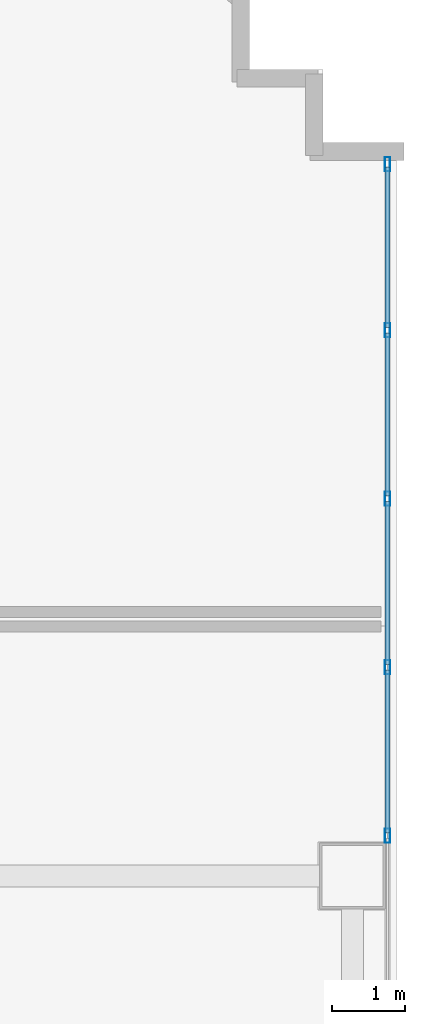
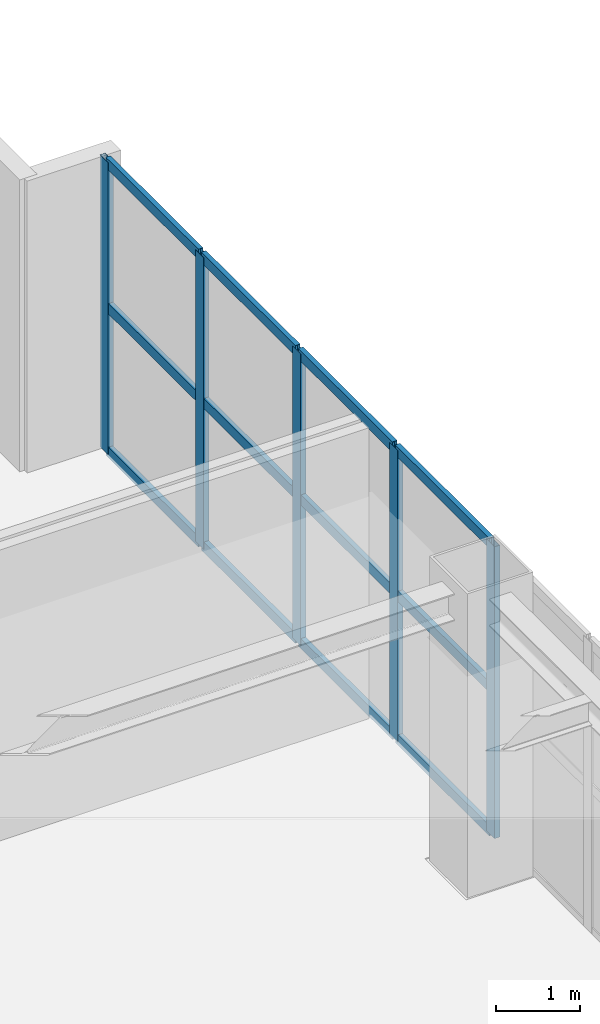
# One storey, part 7 of 16: 17 members, 1 element without a shape of its own.
"""IFC4 building model written with IfcOpenShell, lengths in metres."""

from ifc_helpers import new_model, si_unit, direction, frame, origin, origin_2d, place, context, subcontext, project, spatial, hollow_rectangle, extrude, material, layer, layer_set, material_profile, profile_set, type_object, element, aggregate, save


model = new_model("IFC4")

# Units and contexts
model_context = context("Model", 3, precision=1e-05, world=origin(), true_north=direction((0.0, 1.0)))
body_context = subcontext(model_context, "Body", "Model", "MODEL_VIEW")
ifc_project = project(units=[si_unit("LENGTHUNIT", "METRE"), si_unit("AREAUNIT", "SQUARE_METRE"), si_unit("VOLUMEUNIT", "CUBIC_METRE"), si_unit("PLANEANGLEUNIT", "RADIAN"), si_unit("MASSUNIT", "GRAM", prefix="KILO")], contexts=[model_context])

# Site, building, storey
site_placement = place(None, origin())
site = spatial("IfcSite", under=ifc_project, at=site_placement, CompositionType="ELEMENT")
building_placement = place(site_placement, origin())
building = spatial("IfcBuilding", under=site, at=building_placement, Name="Haolan Belvedere Tower", CompositionType="ELEMENT")
storey_placement = place(building_placement, frame((0.0, 0.0, 164.60009765625)))
storey = spatial("IfcBuildingStorey", under=building, at=storey_placement, Name="L41", CompositionType="ELEMENT", Elevation=164.60009765625)

# Curtain wall, members
ifc_material_1 = material(Name="Anodised champagne-silver aluminium 6063-T6 and Low-E glass", Category="aluminium")
ifc_layer = layer(ifc_material_1, 0.195068359375, Name="Anodised champagne-silver aluminium 6063-T6 and Low-E glass")
ifc_layer_set = layer_set([ifc_layer], Name="Anodised champagne-silver aluminium 6063-T6 and Low-E glass")
curtain_wall_type = type_object("IfcCurtainWallType", Name="CW-SYS-06", PredefinedType="NOTDEFINED", material=ifc_layer_set)
curtain_wall_placement = place(storey_placement, origin())
curtain_wall = element("IfcCurtainWall", 1, at=curtain_wall_placement, inside=storey, type_object=curtain_wall_type, Name="L41 CW-SYS-06 ribbon curtain wall 8.1", PredefinedType="NOTDEFINED")
ifc_material_2 = material(Name="Anodised aluminium 6063-T6", Category="aluminium")
ifc_material_profile_1 = material_profile(ifc_material_2, hollow_rectangle(XDim=0.070068359375, YDim=0.195068359375, WallThickness=0.00390625, at=origin_2d()), Name="Anodised aluminium 6063-T6")
ifc_profile_set_1 = profile_set([ifc_material_profile_1], Name="Anodised aluminium 6063-T6")
member_type_1 = type_object("IfcMemberType", Name="CW-SYS-06-MUL", PredefinedType="MULLION", material=ifc_profile_set_1)
member_1_placement = place(storey_placement, frame((64.679931640625, 28.14892578125, 0.0), z_axis=(0.0, 0.0, 1.0), x_axis=(-1.0, 0.0, 0.0)))
member_1 = element("IfcMember", 2, at=member_1_placement, type_object=member_type_1, Name="CW-06 mullion 6", PredefinedType="MULLION", context=body_context, shape_type="SweptSolid", body=[
    extrude(hollow_rectangle(XDim=0.070068359375, YDim=0.195068359375, WallThickness=0.00390625, at=origin_2d()), origin(), (0.0, 0.0, 1.0), 4.219970703125),
])
member_2_placement = place(storey_placement, frame((64.679931640625, 30.44677734375, 0.0), z_axis=(0.0, 0.0, 1.0), x_axis=(-1.0, 0.0, 0.0)))
member_2 = element("IfcMember", 3, at=member_2_placement, type_object=member_type_1, Name="CW-06 mullion 7", PredefinedType="MULLION", context=body_context, shape_type="SweptSolid", body=[
    extrude(hollow_rectangle(XDim=0.070068359375, YDim=0.195068359375, WallThickness=0.00390625, at=origin_2d()), origin(), (0.0, 0.0, 1.0), 4.219970703125),
])
member_3_placement = place(storey_placement, frame((64.679931640625, 32.744384765625, 0.0), z_axis=(0.0, 0.0, 1.0), x_axis=(-1.0, 0.0, 0.0)))
member_3 = element("IfcMember", 4, at=member_3_placement, type_object=member_type_1, Name="CW-06 mullion 8", PredefinedType="MULLION", context=body_context, shape_type="SweptSolid", body=[
    extrude(hollow_rectangle(XDim=0.070068359375, YDim=0.195068359375, WallThickness=0.00390625, at=origin_2d()), origin(), (0.0, 0.0, 1.0), 4.219970703125),
])
member_4_placement = place(storey_placement, frame((64.679931640625, 35.042236328125, 0.0), z_axis=(0.0, 0.0, 1.0), x_axis=(-1.0, 0.0, 0.0)))
member_4 = element("IfcMember", 5, at=member_4_placement, type_object=member_type_1, Name="CW-06 mullion 9", PredefinedType="MULLION", context=body_context, shape_type="SweptSolid", body=[
    extrude(hollow_rectangle(XDim=0.070068359375, YDim=0.195068359375, WallThickness=0.00390625, at=origin_2d()), origin(), (0.0, 0.0, 1.0), 4.219970703125),
])
member_5_placement = place(storey_placement, frame((64.679931640625, 37.304931640625, 0.0), z_axis=(0.0, 0.0, 1.0), x_axis=(-1.0, 0.0, 0.0)))
member_5 = element("IfcMember", 6, at=member_5_placement, type_object=member_type_1, Name="CW-06 mullion 10", PredefinedType="MULLION", context=body_context, shape_type="SweptSolid", body=[
    extrude(hollow_rectangle(XDim=0.070068359375, YDim=0.195068359375, WallThickness=0.00390625, at=origin_2d()), origin(), (0.0, 0.0, 1.0), 4.219970703125),
])
ifc_material_profile_2 = material_profile(ifc_material_2, hollow_rectangle(XDim=0.06494140625, YDim=0.14990234375, WallThickness=0.00390625, at=origin_2d()), Name="Anodised aluminium 6063-T6")
ifc_profile_set_2 = profile_set([ifc_material_profile_2], Name="Anodised aluminium 6063-T6")
member_type_2 = type_object("IfcMemberType", Name="CW-SYS-06-TRN", PredefinedType="USERDEFINED", material=ifc_profile_set_2)
member_6_placement = place(storey_placement, frame((64.679931640625, 28.183837890625, 0.032470703125), z_axis=(0.0, 1.0, 0.0), x_axis=(-1.0, 0.0, 0.0)))
member_6 = element("IfcMember", 7, at=member_6_placement, type_object=member_type_2, Name="CW-06 transom 6.1", ObjectType="TRANSOM", PredefinedType="USERDEFINED", context=body_context, shape_type="SweptSolid", body=[
    extrude(hollow_rectangle(XDim=0.06494140625, YDim=0.14990234375, WallThickness=0.00390625, at=origin_2d()), origin(), (0.0, 0.0, 1.0), 2.227783203125),
])
member_7_placement = place(storey_placement, frame((64.679931640625, 28.183837890625, 2.10986328125), z_axis=(0.0, 1.0, 0.0), x_axis=(-1.0, 0.0, 0.0)))
member_7 = element("IfcMember", 8, at=member_7_placement, type_object=member_type_2, Name="CW-06 transom 6.2", ObjectType="TRANSOM", PredefinedType="USERDEFINED", context=body_context, shape_type="SweptSolid", body=[
    extrude(hollow_rectangle(XDim=0.06494140625, YDim=0.14990234375, WallThickness=0.00390625, at=origin_2d()), origin(), (0.0, 0.0, 1.0), 2.227783203125),
])
member_8_placement = place(storey_placement, frame((64.679931640625, 28.183837890625, 4.1875), z_axis=(0.0, 1.0, 0.0), x_axis=(-1.0, 0.0, 0.0)))
member_8 = element("IfcMember", 9, at=member_8_placement, type_object=member_type_2, Name="CW-06 transom 6.3", ObjectType="TRANSOM", PredefinedType="USERDEFINED", context=body_context, shape_type="SweptSolid", body=[
    extrude(hollow_rectangle(XDim=0.06494140625, YDim=0.14990234375, WallThickness=0.00390625, at=origin_2d()), origin(), (0.0, 0.0, 1.0), 2.227783203125),
])
member_9_placement = place(storey_placement, frame((64.679931640625, 30.481689453125, 0.032470703125), z_axis=(0.0, 1.0, 0.0), x_axis=(-1.0, 0.0, 0.0)))
member_9 = element("IfcMember", 10, at=member_9_placement, type_object=member_type_2, Name="CW-06 transom 7.1", ObjectType="TRANSOM", PredefinedType="USERDEFINED", context=body_context, shape_type="SweptSolid", body=[
    extrude(hollow_rectangle(XDim=0.06494140625, YDim=0.14990234375, WallThickness=0.00390625, at=origin_2d()), origin(), (0.0, 0.0, 1.0), 2.227783203125),
])
member_10_placement = place(storey_placement, frame((64.679931640625, 30.481689453125, 2.10986328125), z_axis=(0.0, 1.0, 0.0), x_axis=(-1.0, 0.0, 0.0)))
member_10 = element("IfcMember", 11, at=member_10_placement, type_object=member_type_2, Name="CW-06 transom 7.2", ObjectType="TRANSOM", PredefinedType="USERDEFINED", context=body_context, shape_type="SweptSolid", body=[
    extrude(hollow_rectangle(XDim=0.06494140625, YDim=0.14990234375, WallThickness=0.00390625, at=origin_2d()), origin(), (0.0, 0.0, 1.0), 2.227783203125),
])
member_11_placement = place(storey_placement, frame((64.679931640625, 30.481689453125, 4.1875), z_axis=(0.0, 1.0, 0.0), x_axis=(-1.0, 0.0, 0.0)))
member_11 = element("IfcMember", 12, at=member_11_placement, type_object=member_type_2, Name="CW-06 transom 7.3", ObjectType="TRANSOM", PredefinedType="USERDEFINED", context=body_context, shape_type="SweptSolid", body=[
    extrude(hollow_rectangle(XDim=0.06494140625, YDim=0.14990234375, WallThickness=0.00390625, at=origin_2d()), origin(), (0.0, 0.0, 1.0), 2.227783203125),
])
member_12_placement = place(storey_placement, frame((64.679931640625, 32.779541015625, 0.032470703125), z_axis=(0.0, 1.0, 0.0), x_axis=(-1.0, 0.0, 0.0)))
member_12 = element("IfcMember", 13, at=member_12_placement, type_object=member_type_2, Name="CW-06 transom 8.1", ObjectType="TRANSOM", PredefinedType="USERDEFINED", context=body_context, shape_type="SweptSolid", body=[
    extrude(hollow_rectangle(XDim=0.06494140625, YDim=0.14990234375, WallThickness=0.00390625, at=origin_2d()), origin(), (0.0, 0.0, 1.0), 2.227783203125),
])
member_13_placement = place(storey_placement, frame((64.679931640625, 32.779541015625, 2.10986328125), z_axis=(0.0, 1.0, 0.0), x_axis=(-1.0, 0.0, 0.0)))
member_13 = element("IfcMember", 14, at=member_13_placement, type_object=member_type_2, Name="CW-06 transom 8.2", ObjectType="TRANSOM", PredefinedType="USERDEFINED", context=body_context, shape_type="SweptSolid", body=[
    extrude(hollow_rectangle(XDim=0.06494140625, YDim=0.14990234375, WallThickness=0.00390625, at=origin_2d()), origin(), (0.0, 0.0, 1.0), 2.227783203125),
])
member_14_placement = place(storey_placement, frame((64.679931640625, 32.779541015625, 4.1875), z_axis=(0.0, 1.0, 0.0), x_axis=(-1.0, 0.0, 0.0)))
member_14 = element("IfcMember", 15, at=member_14_placement, type_object=member_type_2, Name="CW-06 transom 8.3", ObjectType="TRANSOM", PredefinedType="USERDEFINED", context=body_context, shape_type="SweptSolid", body=[
    extrude(hollow_rectangle(XDim=0.06494140625, YDim=0.14990234375, WallThickness=0.00390625, at=origin_2d()), origin(), (0.0, 0.0, 1.0), 2.227783203125),
])
member_15_placement = place(storey_placement, frame((64.679931640625, 35.0771484375, 0.032470703125), z_axis=(0.0, 1.0, 0.0), x_axis=(-1.0, 0.0, 0.0)))
member_15 = element("IfcMember", 16, at=member_15_placement, type_object=member_type_2, Name="CW-06 transom 9.1", ObjectType="TRANSOM", PredefinedType="USERDEFINED", context=body_context, shape_type="SweptSolid", body=[
    extrude(hollow_rectangle(XDim=0.06494140625, YDim=0.14990234375, WallThickness=0.00390625, at=origin_2d()), origin(), (0.0, 0.0, 1.0), 2.19287109375),
])
member_16_placement = place(storey_placement, frame((64.679931640625, 35.0771484375, 2.10986328125), z_axis=(0.0, 1.0, 0.0), x_axis=(-1.0, 0.0, 0.0)))
member_16 = element("IfcMember", 17, at=member_16_placement, type_object=member_type_2, Name="CW-06 transom 9.2", ObjectType="TRANSOM", PredefinedType="USERDEFINED", context=body_context, shape_type="SweptSolid", body=[
    extrude(hollow_rectangle(XDim=0.06494140625, YDim=0.14990234375, WallThickness=0.00390625, at=origin_2d()), origin(), (0.0, 0.0, 1.0), 2.19287109375),
])
member_17_placement = place(storey_placement, frame((64.679931640625, 35.0771484375, 4.1875), z_axis=(0.0, 1.0, 0.0), x_axis=(-1.0, 0.0, 0.0)))
member_17 = element("IfcMember", 18, at=member_17_placement, type_object=member_type_2, Name="CW-06 transom 9.3", ObjectType="TRANSOM", PredefinedType="USERDEFINED", context=body_context, shape_type="SweptSolid", body=[
    extrude(hollow_rectangle(XDim=0.06494140625, YDim=0.14990234375, WallThickness=0.00390625, at=origin_2d()), origin(), (0.0, 0.0, 1.0), 2.19287109375),
])
aggregate(curtain_wall, [member_1, member_2, member_3, member_4, member_5, member_6, member_7, member_8, member_9, member_10, member_11, member_12, member_13, member_14, member_15, member_16, member_17])

save(model, "model.ifc")
